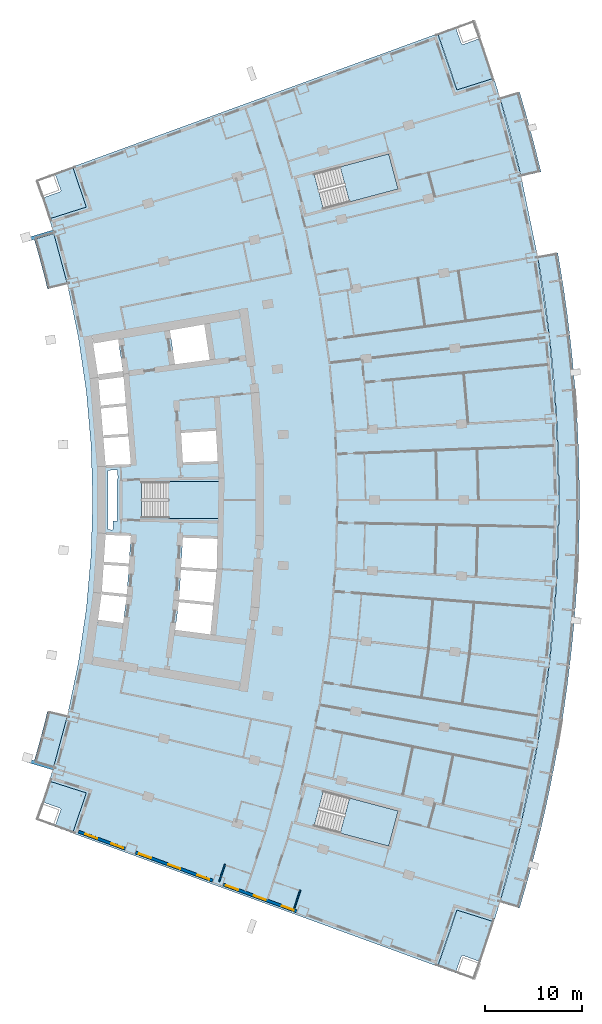
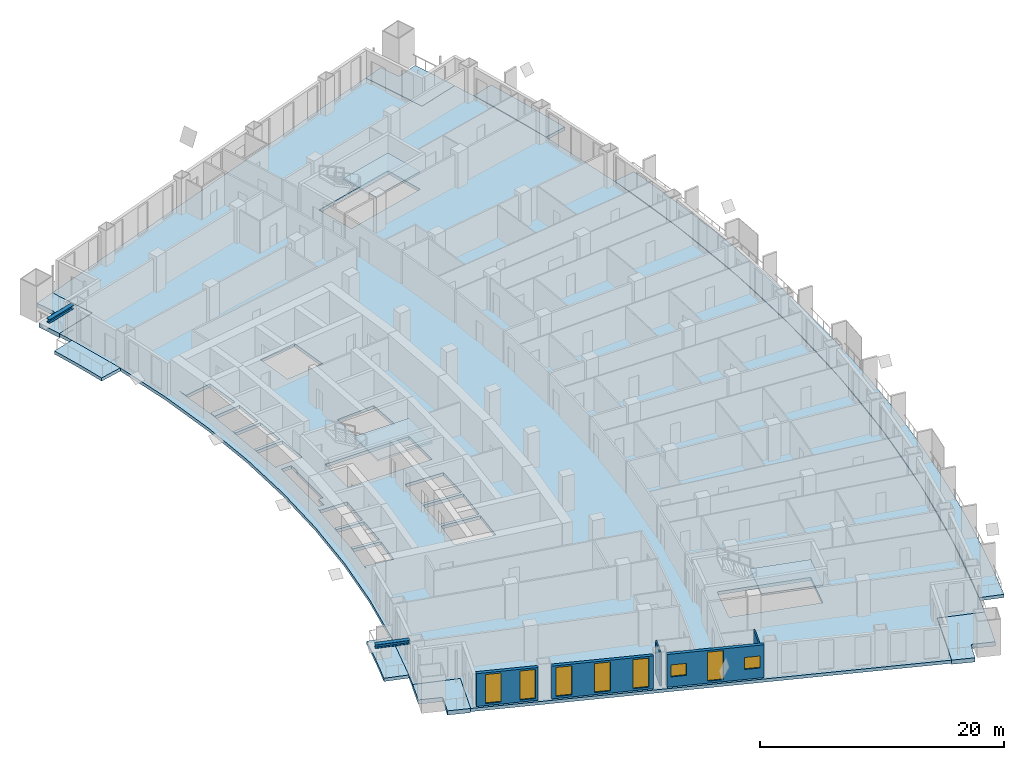
# One storey, part 12 of 24: 12 slabs, 8 windows, 5 walls, 2 members, 8 openings, 3 elements without a shape of their own.
"""IFC4 building model written with IfcOpenShell, lengths in metres."""

from ifc_helpers import new_model, si_unit, direction, frame, frame_2d, origin, origin_2d, place, context, subcontext, project, spatial, polyline, rectangle, i_section, outline, extrude, material, layer, layer_set, material_profile, profile_set, type_object, element, fill, aggregate, save


model = new_model("IFC4")

# Units and contexts
model_context = context("Model", 3, precision=1e-05, world=origin(), true_north=direction((0.0, 1.0)))
body_context = subcontext(model_context, "Body", "Model", "MODEL_VIEW")
ifc_project = project(units=[si_unit("LENGTHUNIT", "METRE"), si_unit("AREAUNIT", "SQUARE_METRE"), si_unit("VOLUMEUNIT", "CUBIC_METRE"), si_unit("PLANEANGLEUNIT", "RADIAN"), si_unit("MASSUNIT", "GRAM", prefix="KILO")], contexts=[model_context])

# Site, building, storey
site_placement = place(None, origin())
site = spatial("IfcSite", under=ifc_project, at=site_placement, CompositionType="ELEMENT")
building_placement = place(site_placement, origin())
building = spatial("IfcBuilding", under=site, at=building_placement, Name="Alderwake Tower", CompositionType="ELEMENT")
storey_placement = place(building_placement, frame((0.0, 0.0, 39.199951171875)))
storey = spatial("IfcBuildingStorey", under=building, at=storey_placement, Name="L08", CompositionType="ELEMENT", Elevation=39.199951171875)

# Members
ifc_material_1 = material(Name="Steel ASTM A992 Grade 50", Category="steel")
ifc_material_profile = material_profile(ifc_material_1, i_section(OverallWidth=0.3740234375, OverallDepth=0.372314453125, WebThickness=0.016357421875, FlangeThickness=0.026123046875, at=origin_2d()), Name="W14X132")
ifc_profile_set = profile_set([ifc_material_profile], Name="Steel ASTM A992 Grade 50")
member_type = type_object("IfcMemberType", Name="Brace node stub W14X132", PredefinedType="MEMBER", material=ifc_profile_set)
for number, where, z_axis, x_axis, name in (
    (1, (11.993408203125, 33.380859375, 3.393798828125), (-0.957763890139, 0.287555787189, 0.0), (-0.287555787189, -0.957763890139, 0.0), "Brace node stub BS.RR02-C0.428"),
    (2, (11.993408203125, 88.619140625, 3.393798828125), (-0.957763890139, -0.287555787189, 0.0), (0.287555787189, -0.957763890139, 0.0), "Brace node stub BS.RR12-C0.428"),
):
    element("IfcMember", number, at=place(storey_placement, frame(where, z_axis=z_axis, x_axis=x_axis)), inside=storey, type_object=member_type, Name=name, PredefinedType="MEMBER", context=body_context, shape_type="SweptSolid", body=[
        extrude(i_section(OverallWidth=0.3740234375, OverallDepth=0.372314453125, WebThickness=0.016357421875, FlangeThickness=0.026123046875, at=origin_2d()), origin(), (0.0, 0.0, 1.0), 2.90869140625),
    ])

# Slabs
ifc_material_2 = material(Name="Concrete C50/60", Category="concrete")
ifc_layer_1 = layer(ifc_material_2, 0.320068359375)
ifc_layer_set_1 = layer_set([ifc_layer_1], Name="Balcony slab 320")
slab_type_1 = type_object("IfcSlabType", Name="Balcony slab 320", PredefinedType="FLOOR", material=ifc_layer_set_1)
slab_1_placement = place(storey_placement, frame((0.0, 0.0, -0.320068359375)))
element("IfcSlab", 3, at=slab_1_placement, inside=storey, type_object=slab_type_1, Name="Balcony BF02", PredefinedType="FLOOR", context=body_context, shape_type="SweptSolid", body=[
    extrude(outline(polyline([(59.9296875, 18.989013671875), (60.52734375, 21.0341796875), (61.09521484375, 23.087646484375), (61.633056640625, 25.1494140625), (62.140869140625, 27.218505859375), (62.618408203125, 29.294921875), (63.0654296875, 31.3779296875), (63.482421875, 33.467529296875), (63.868408203125, 35.562744140625), (64.22412109375, 37.66357421875), (64.54931640625, 39.769287109375), (64.843505859375, 41.87939453125), (65.106689453125, 43.99365234375), (65.33935546875, 46.111572265625), (65.541015625, 48.232666015625), (65.7119140625, 50.356201171875), (65.8515625, 52.482421875), (65.960205078125, 54.610107421875), (66.037841796875, 56.739501953125), (66.08447265625, 58.869384765625), (66.10009765625, 61.0), (66.08447265625, 63.130615234375), (66.037841796875, 65.260498046875), (65.960205078125, 67.389892578125), (65.8515625, 69.517578125), (65.7119140625, 71.643798828125), (65.541015625, 73.767333984375), (65.33935546875, 75.888427734375), (65.106689453125, 78.00634765625), (64.843505859375, 80.12060546875), (64.54931640625, 82.230712890625), (64.22412109375, 84.33642578125), (63.868408203125, 86.437255859375), (61.800537109375, 86.071533203125), (62.151123046875, 84.001220703125), (62.471435546875, 81.925537109375), (62.761474609375, 79.845703125), (63.02099609375, 77.761962890625), (63.250244140625, 75.674560546875), (63.44921875, 73.583984375), (63.617431640625, 71.49072265625), (63.755126953125, 69.395263671875), (63.8623046875, 67.298095703125), (63.938720703125, 65.199462890625), (63.984619140625, 63.099853515625), (64.0, 61.0), (63.984619140625, 58.900146484375), (63.938720703125, 56.800537109375), (63.8623046875, 54.701904296875), (63.755126953125, 52.604736328125), (63.617431640625, 50.50927734375), (63.44921875, 48.416015625), (63.250244140625, 46.325439453125), (63.02099609375, 44.238037109375), (62.761474609375, 42.154296875), (62.471435546875, 40.074462890625), (62.151123046875, 37.998779296875), (61.800537109375, 35.928466796875), (61.419921875, 33.86328125), (61.00927734375, 31.8037109375), (60.568359375, 29.75048828125), (60.097900390625, 27.7041015625), (59.597412109375, 25.66455078125), (59.067138671875, 23.632568359375), (58.507568359375, 21.608642578125), (57.918212890625, 19.593017578125), (59.9296875, 18.989013671875)])), origin(), (0.0, 0.0, 1.0), 0.320068359375),
])
slab_2_placement = place(storey_placement, frame((0.0, 0.0, -0.320068359375)))
element("IfcSlab", 4, at=slab_2_placement, inside=storey, type_object=slab_type_1, Name="Balcony BF11", PredefinedType="FLOOR", context=body_context, shape_type="SweptSolid", body=[
    extrude(outline(polyline([(60.097900390625, 94.2958984375), (62.140869140625, 94.781494140625), (61.633056640625, 96.8505859375), (61.09521484375, 98.912353515625), (60.52734375, 100.9658203125), (59.9296875, 103.010986328125), (57.918212890625, 102.406982421875), (58.507568359375, 100.391357421875), (59.067138671875, 98.367431640625), (59.597412109375, 96.33544921875), (60.097900390625, 94.2958984375)])), origin(), (0.0, 0.0, 1.0), 0.320068359375),
])
slab_3_placement = place(storey_placement, frame((0.0, 0.0, -0.320068359375)))
element("IfcSlab", 5, at=slab_3_placement, inside=storey, type_object=slab_type_1, Name="Balcony BR02", PredefinedType="FLOOR", context=body_context, shape_type="SweptSolid", body=[
    extrude(outline(polyline([(9.93408203125, 33.999267578125), (11.945556640625, 33.395263671875), (13.3984375, 38.802734375), (11.35546875, 39.288330078125), (11.029052734375, 37.95849609375), (10.683349609375, 36.63330078125), (10.318359375, 35.3134765625), (9.93408203125, 33.999267578125)])), origin(), (0.0, 0.0, 1.0), 0.320068359375),
])
slab_4_placement = place(storey_placement, frame((0.0, 0.0, -0.320068359375)))
element("IfcSlab", 6, at=slab_4_placement, inside=storey, type_object=slab_type_1, Name="Balcony BR11", PredefinedType="FLOOR", context=body_context, shape_type="SweptSolid", body=[
    extrude(outline(polyline([(11.35546875, 82.711669921875), (13.3984375, 83.197265625), (11.945556640625, 88.604736328125), (9.93408203125, 88.000732421875), (10.318359375, 86.6865234375), (10.683349609375, 85.36669921875), (11.029052734375, 84.04150390625), (11.35546875, 82.711669921875)])), origin(), (0.0, 0.0, 1.0), 0.320068359375),
])
ifc_material_3 = material(Name="Concrete C50/60", Category="concrete")
ifc_layer_2 = layer(ifc_material_3, 0.320068359375)
ifc_layer_set_2 = layer_set([ifc_layer_2], Name="Concrete C50/60 post-tensioned flat plate 320")
slab_type_2 = type_object("IfcSlabType", Name="Concrete C50/60 post-tensioned flat plate 320", PredefinedType="FLOOR", material=ifc_layer_set_2)
slab_5_placement = place(storey_placement, frame((0.0, 0.0, -0.320068359375)))
element("IfcSlab", 7, at=slab_5_placement, inside=storey, type_object=slab_type_2, Name="Floor slab L08", PredefinedType="FLOOR", context=body_context, shape_type="SweptSolid", body=[
    extrude(outline(polyline([(11.533203125, 32.057373046875), (11.945556640625, 33.395263671875), (13.3984375, 38.802734375), (14.53369140625, 44.28564453125), (15.347412109375, 49.825439453125), (15.836669921875, 55.4033203125), (16.0, 61.0), (15.836669921875, 66.5966796875), (15.347412109375, 72.174560546875), (14.53369140625, 77.71435546875), (13.3984375, 83.197265625), (11.945556640625, 88.604736328125), (11.533203125, 89.942626953125), (15.34716796875, 91.1484375), (13.937255859375, 95.289794921875), (51.51220703125, 109.005615234375), (53.48583984375, 103.2080078125), (57.2998046875, 104.413818359375), (57.918212890625, 102.406982421875), (60.097900390625, 94.2958984375), (61.800537109375, 86.071533203125), (63.02099609375, 77.761962890625), (63.755126953125, 69.395263671875), (64.0, 61.0), (63.755126953125, 52.604736328125), (63.02099609375, 44.238037109375), (61.800537109375, 35.928466796875), (60.097900390625, 27.7041015625), (57.918212890625, 19.593017578125), (57.2998046875, 17.586181640625), (53.48583984375, 18.7919921875), (51.51220703125, 12.994384765625), (13.937255859375, 26.710205078125), (15.34716796875, 30.8515625), (11.533203125, 32.057373046875)]), holes=[polyline([(16.943359375, 51.26953125), (16.9580078125, 51.4189453125), (16.972900390625, 51.568115234375), (19.525146484375, 51.31591796875), (19.71630859375, 54.164794921875), (17.153564453125, 54.33642578125), (17.16357421875, 54.486083984375), (17.173583984375, 54.6357421875), (19.736083984375, 54.464111328125), (19.92724609375, 57.312744140625), (17.364013671875, 57.403564453125), (17.369140625, 57.553466796875), (17.33935546875, 57.554443359375), (17.1337890625, 54.48828125), (16.927978515625, 51.421875), (16.92822265625, 51.421875), (16.50927734375, 48.377197265625), (16.5390625, 48.373291015625), (16.577880859375, 48.6708984375), (19.138671875, 48.3359375), (19.495361328125, 51.017333984375), (16.943359375, 51.26953125)]), polyline([(29.0, 62.875), (21.050048828125, 62.875), (21.050048828125, 59.125), (29.0, 59.125), (29.0, 62.875)]), polyline([(19.688720703125, 67.53271484375), (17.12548828125, 67.361083984375), (17.115478515625, 67.510498046875), (17.10546875, 67.660400390625), (19.6640625, 67.831787109375), (19.42822265625, 70.674560546875), (16.87646484375, 70.42236328125), (16.86181640625, 70.571533203125), (16.846923828125, 70.720947265625), (19.403564453125, 70.973388671875), (19.179931640625, 73.66943359375), (16.646484375, 73.338134765625), (16.607666015625, 73.635498046875), (16.56884765625, 73.93310546875), (19.111083984375, 74.265625), (18.6240234375, 77.531982421875), (18.919921875, 77.575927734375), (18.916748046875, 77.593994140625), (16.082275390625, 77.10546875), (15.9345703125, 77.9619140625), (15.634765625, 77.908935546875), (15.63525390625, 77.9052734375), (15.9140625, 77.9482421875), (16.57763671875, 73.631591796875), (16.578369140625, 73.626220703125), (16.831787109375, 70.568603515625), (17.085693359375, 67.508544921875), (17.33935546875, 64.4482421875), (17.33935546875, 64.445556640625), (17.369384765625, 64.446533203125), (17.364013671875, 64.596435546875), (19.9248046875, 64.687255859375), (19.688720703125, 67.53271484375)]), polyline([(47.436279296875, 28.996826171875), (39.754150390625, 31.043212890625), (38.7890625, 27.41943359375), (46.47119140625, 25.373291015625), (47.436279296875, 28.996826171875)]), polyline([(24.87451171875, 50.48583984375), (24.878662109375, 50.52783203125), (24.875, 50.5283203125), (24.48974609375, 47.635986328125), (28.117919921875, 47.16162109375), (28.40478515625, 50.136962890625), (24.87451171875, 50.48583984375)]), polyline([(25.080810546875, 53.804931640625), (24.89501953125, 50.731201171875), (24.898681640625, 50.730712890625), (24.904052734375, 50.784423828125), (28.43359375, 50.435546875), (28.735107421875, 53.56005859375), (25.080810546875, 53.804931640625)]), polyline([(28.83740234375, 56.997314453125), (25.281494140625, 57.123291015625), (25.09912109375, 54.1044921875), (28.759521484375, 53.859130859375), (28.7578125, 53.8359375), (28.76171875, 53.835693359375), (28.769287109375, 53.915283203125), (28.83740234375, 56.997314453125)]), polyline([(28.873779296875, 65.00390625), (28.689453125, 68.13623046875), (25.101318359375, 67.895751953125), (25.2822265625, 64.876708984375), (28.873779296875, 65.00390625)]), polyline([(27.490966796875, 79.072021484375), (23.932373046875, 78.45849609375), (23.93310546875, 78.454833984375), (23.9443359375, 78.45654296875), (24.4697265625, 74.972412109375), (24.36474609375, 74.95654296875), (24.365478515625, 74.952880859375), (28.0400390625, 75.433349609375), (27.490966796875, 79.072021484375)]), polyline([(46.47119140625, 96.626708984375), (38.7890625, 94.58056640625), (39.754150390625, 90.956787109375), (47.436279296875, 93.003173828125), (46.47119140625, 96.626708984375)]), polyline([(17.58935546875, 64.05419921875), (17.58935546875, 57.94580078125), (18.065673828125, 57.928955078125), (18.090576171875, 58.84326171875), (18.544189453125, 58.8310546875), (18.529296875, 58.8681640625), (18.5234375, 58.89208984375), (18.5185546875, 58.94091796875), (18.5185546875, 63.060302734375), (18.5234375, 63.109130859375), (18.53759765625, 63.156005859375), (18.560791015625, 63.19921875), (18.588623046875, 63.233642578125), (18.565185546875, 64.088623046875), (17.58935546875, 64.05419921875)])]), origin(), (0.0, 0.0, 1.0), 0.320068359375),
])

# Stair, slab
ifc_material_4 = material(Name="Concrete C40/50", Category="concrete")
stair_type = type_object("IfcStairType", Name="Core exit stair", PredefinedType="HALF_TURN_STAIR", material=ifc_material_4)
stair_1_placement = place(storey_placement, origin())
stair_1 = element("IfcStair", 8, at=stair_1_placement, inside=storey, type_object=stair_type, Name="L08 Exit Stair B", PredefinedType="HALF_TURN_STAIR")
ifc_material_5 = material(Name="Concrete C40/50", Category="concrete")
ifc_layer_3 = layer(ifc_material_5, 0.199951171875)
ifc_layer_set_3 = layer_set([ifc_layer_3], Name="Core stair landing 200")
slab_type_3 = type_object("IfcSlabType", Name="Core stair landing 200", PredefinedType="LANDING", material=ifc_layer_set_3)
slab_6_placement = place(storey_placement, frame((0.0, 0.0, 1.60009765625)))
slab_6 = element("IfcSlab", 9, at=slab_6_placement, type_object=slab_type_3, Name="ST-B landing 1", PredefinedType="LANDING", context=body_context, shape_type="SweptSolid", body=[
    extrude(outline(polyline([(23.830078125, 59.074951171875), (29.0, 59.074951171875), (29.0, 62.925048828125), (23.830078125, 62.925048828125), (23.830078125, 59.074951171875)])), origin(), (0.0, 0.0, 1.0), 0.199951171875),
])
aggregate(stair_1, [slab_6])

stair_2_placement = place(storey_placement, origin())
stair_2 = element("IfcStair", 10, at=stair_2_placement, inside=storey, type_object=stair_type, Name="L08 Exit Stair A", PredefinedType="HALF_TURN_STAIR")
slab_7_placement = place(storey_placement, frame((0.0, 0.0, 1.60009765625)))
slab_7 = element("IfcSlab", 11, at=slab_7_placement, type_object=slab_type_3, Name="ST-A landing 1", PredefinedType="LANDING", context=body_context, shape_type="SweptSolid", body=[
    extrude(outline(polyline([(42.440673828125, 91.67236328125), (47.436279296875, 93.003173828125), (46.47119140625, 96.626708984375), (41.475341796875, 95.296142578125), (42.440673828125, 91.67236328125)])), origin(), (0.0, 0.0, 1.0), 0.199951171875),
])
aggregate(stair_2, [slab_7])

stair_3_placement = place(storey_placement, origin())
stair_3 = element("IfcStair", 12, at=stair_3_placement, inside=storey, type_object=stair_type, Name="L08 Exit Stair C", PredefinedType="HALF_TURN_STAIR")
slab_8_placement = place(storey_placement, frame((0.0, 0.0, 1.60009765625)))
slab_8 = element("IfcSlab", 13, at=slab_8_placement, type_object=slab_type_3, Name="ST-C landing 1", PredefinedType="LANDING", context=body_context, shape_type="SweptSolid", body=[
    extrude(outline(polyline([(41.475341796875, 26.703857421875), (46.47119140625, 25.373291015625), (47.436279296875, 28.996826171875), (42.4404296875, 30.32763671875), (41.475341796875, 26.703857421875)])), origin(), (0.0, 0.0, 1.0), 0.199951171875),
])
aggregate(stair_3, [slab_8])

# Slabs
ifc_material_6 = material(Name="Concrete C50/60", Category="concrete")
ifc_layer_4 = layer(ifc_material_6, 0.419921875)
ifc_layer_set_4 = layer_set([ifc_layer_4], Name="Terrace slab 420")
slab_type_4 = type_object("IfcSlabType", Name="Terrace slab 420", PredefinedType="FLOOR", material=ifc_layer_set_4)
slab_9_placement = place(storey_placement, frame((0.0, 0.0, -0.419921875)))
element("IfcSlab", 14, at=slab_9_placement, inside=storey, type_object=slab_type_4, Name="Corner terrace FS", PredefinedType="FLOOR", context=body_context, shape_type="SweptSolid", body=[
    extrude(outline(polyline([(55.975341796875, 13.6005859375), (55.92626953125, 13.462890625), (54.141845703125, 14.1015625), (54.127685546875, 14.10595703125), (54.11328125, 14.108642578125), (54.0986328125, 14.110107421875), (54.083984375, 14.110107421875), (54.0693359375, 14.108642578125), (54.054931640625, 14.10595703125), (54.040771484375, 14.1015625), (54.027099609375, 14.095947265625), (54.01416015625, 14.089111328125), (54.001953125, 14.080810546875), (53.990478515625, 14.071533203125), (53.980224609375, 14.06103515625), (53.970703125, 14.0498046875), (53.962646484375, 14.03759765625), (53.955810546875, 14.0244140625), (53.9501953125, 14.010986328125), (53.346435546875, 12.32470703125), (51.51220703125, 12.994384765625), (52.1982421875, 14.917236328125), (52.856201171875, 16.85009765625), (53.48583984375, 18.7919921875), (57.2998046875, 17.586181640625), (56.652099609375, 15.58837890625), (55.975341796875, 13.6005859375)])), origin(), (0.0, 0.0, 1.0), 0.419921875),
])
slab_10_placement = place(storey_placement, frame((0.0, 0.0, -0.419921875)))
element("IfcSlab", 15, at=slab_10_placement, inside=storey, type_object=slab_type_4, Name="Corner terrace RS", PredefinedType="FLOOR", context=body_context, shape_type="SweptSolid", body=[
    extrude(outline(polyline([(13.937255859375, 26.710205078125), (12.10888671875, 27.377685546875), (12.114013671875, 27.39013671875), (12.71533203125, 29.086669921875), (12.7197265625, 29.100830078125), (12.722412109375, 29.115234375), (12.723876953125, 29.1298828125), (12.723876953125, 29.14453125), (12.722412109375, 29.1591796875), (12.719482421875, 29.173583984375), (12.715087890625, 29.187744140625), (12.70947265625, 29.201416015625), (12.702392578125, 29.21435546875), (12.6943359375, 29.2265625), (12.684814453125, 29.23779296875), (12.674560546875, 29.248291015625), (12.6630859375, 29.257568359375), (12.65087890625, 29.265625), (12.6376953125, 29.272705078125), (12.624267578125, 29.2783203125), (10.82568359375, 29.915771484375), (11.101318359375, 30.7255859375), (11.533203125, 32.057373046875), (15.34716796875, 30.8515625), (13.937255859375, 26.710205078125)])), origin(), (0.0, 0.0, 1.0), 0.419921875),
])
slab_11_placement = place(storey_placement, frame((0.0, 0.0, -0.419921875)))
element("IfcSlab", 16, at=slab_11_placement, inside=storey, type_object=slab_type_4, Name="Corner terrace FN", PredefinedType="FLOOR", context=body_context, shape_type="SweptSolid", body=[
    extrude(outline(polyline([(55.975341796875, 108.3994140625), (56.652099609375, 106.41162109375), (57.2998046875, 104.413818359375), (53.48583984375, 103.2080078125), (52.856201171875, 105.14990234375), (52.1982421875, 107.082763671875), (51.51220703125, 109.005615234375), (53.346435546875, 109.67529296875), (53.9501953125, 107.989013671875), (53.955810546875, 107.9755859375), (53.962646484375, 107.96240234375), (53.970703125, 107.9501953125), (53.980224609375, 107.93896484375), (53.990478515625, 107.928466796875), (54.001953125, 107.919189453125), (54.01416015625, 107.910888671875), (54.027099609375, 107.904052734375), (54.040771484375, 107.8984375), (54.054931640625, 107.89404296875), (54.0693359375, 107.891357421875), (54.083984375, 107.889892578125), (54.0986328125, 107.889892578125), (54.11328125, 107.891357421875), (54.127685546875, 107.89404296875), (54.141845703125, 107.8984375), (55.92626953125, 108.537109375), (55.975341796875, 108.3994140625)])), origin(), (0.0, 0.0, 1.0), 0.419921875),
])
slab_12_placement = place(storey_placement, frame((0.0, 0.0, -0.419921875)))
element("IfcSlab", 17, at=slab_12_placement, inside=storey, type_object=slab_type_4, Name="Corner terrace RN", PredefinedType="FLOOR", context=body_context, shape_type="SweptSolid", body=[
    extrude(outline(polyline([(10.82568359375, 92.084228515625), (12.624267578125, 92.7216796875), (12.6376953125, 92.727294921875), (12.65087890625, 92.734375), (12.6630859375, 92.742431640625), (12.674560546875, 92.751708984375), (12.684814453125, 92.76220703125), (12.6943359375, 92.7734375), (12.702392578125, 92.78564453125), (12.70947265625, 92.798583984375), (12.715087890625, 92.812255859375), (12.719482421875, 92.826416015625), (12.722412109375, 92.8408203125), (12.723876953125, 92.85546875), (12.723876953125, 92.8701171875), (12.722412109375, 92.884765625), (12.7197265625, 92.899169921875), (12.71533203125, 92.913330078125), (12.114013671875, 94.60986328125), (12.10888671875, 94.622314453125), (13.937255859375, 95.289794921875), (15.34716796875, 91.1484375), (11.533203125, 89.942626953125), (11.101318359375, 91.2744140625), (10.82568359375, 92.084228515625)])), origin(), (0.0, 0.0, 1.0), 0.419921875),
])

# Wall, openings, windows
ifc_material_7 = material(Name="Bronze metal cladding on lightweight framing")
ifc_layer_5 = layer(ifc_material_7, 0.300048828125)
ifc_layer_set_5 = layer_set([ifc_layer_5], Name="External wall EW2 bronze metal cladding")
wall_type_1 = type_object("IfcWallType", Name="External wall EW2 bronze metal cladding", PredefinedType="SOLIDWALL", material=ifc_layer_set_5)
wall_1_placement = place(storey_placement, frame((14.523681640625, 26.86865234375, 0.0), z_axis=(0.0, 0.0, 1.0), x_axis=(0.939371865822, -0.342900127883, 0.0)))
wall_1 = element("IfcWall", 18, at=wall_1_placement, inside=storey, type_object=wall_type_1, Name="External wall 4", PredefinedType="SOLIDWALL", context=body_context, shape_type="SweptSolid", body=[
    extrude(rectangle(XDim=5.149169921875, YDim=0.300048828125, at=frame_2d((2.57470703125, 0.0))), origin(), (0.0, 0.0, 1.0), 3.280029296875),
])
opening_1_placement = place(wall_1_placement, frame((0.775390625, 0.0, 0.199951171875)))
opening_1 = element("IfcOpeningElement", 19, at=opening_1_placement, cuts=wall_1, Name="Opening W1", PredefinedType="OPENING", context=body_context, shape_type="SweptSolid", body=[
    extrude(rectangle(XDim=1.300048828125, YDim=2.89990234375, at=frame_2d((0.64990234375, 1.449951171875))), frame((0.0, 0.159912109375, 0.0), z_axis=(0.0, -1.0, 0.0), x_axis=(1.0, 0.0, 0.0)), (0.0, 0.0, 1.0), 0.320068359375),
])
opening_2_placement = place(wall_1_placement, frame((3.626220703125, 0.0, 0.199951171875)))
opening_2 = element("IfcOpeningElement", 20, at=opening_2_placement, cuts=wall_1, Name="Opening W1", PredefinedType="OPENING", context=body_context, shape_type="SweptSolid", body=[
    extrude(rectangle(XDim=1.300048828125, YDim=2.89990234375, at=frame_2d((0.64990234375, 1.449951171875))), frame((0.0, 0.159912109375, 0.0), z_axis=(0.0, -1.0, 0.0), x_axis=(1.0, 0.0, 0.0)), (0.0, 0.0, 1.0), 0.320068359375),
])
ifc_material_8 = material(Name="Bronze tinted glass in aluminium frame", Category="aluminium")
window_type_1 = type_object("IfcWindowType", Name="Window W1 tall fixed and vent", PartitioningType="DOUBLE_PANEL_VERTICAL", PredefinedType="WINDOW", material=ifc_material_8)
window_1_placement = place(opening_1_placement, origin())
window_1 = element("IfcWindow", 21, at=window_1_placement, inside=storey, type_object=window_type_1, Name="Window W1 tall fixed and vent", OverallHeight=2.89990234375, OverallWidth=1.300048828125, PartitioningType="DOUBLE_PANEL_VERTICAL", PredefinedType="WINDOW", context=body_context, shape_type="SweptSolid", body=[
    extrude(rectangle(XDim=1.300048828125, YDim=2.89990234375, at=frame_2d((0.64990234375, 1.449951171875))), frame((0.0, 0.030029296875, 0.0), z_axis=(0.0, -1.0, 0.0), x_axis=(1.0, 0.0, 0.0)), (0.0, 0.0, 1.0), 0.06005859375),
])
fill(opening_1, window_1)
window_2_placement = place(opening_2_placement, origin())
window_2 = element("IfcWindow", 22, at=window_2_placement, inside=storey, type_object=window_type_1, Name="Window W1 tall fixed and vent", OverallHeight=2.89990234375, OverallWidth=1.300048828125, PartitioningType="DOUBLE_PANEL_VERTICAL", PredefinedType="WINDOW", context=body_context, shape_type="SweptSolid", body=[
    extrude(rectangle(XDim=1.300048828125, YDim=2.89990234375, at=frame_2d((0.64990234375, 1.449951171875))), frame((0.0, 0.030029296875, 0.0), z_axis=(0.0, -1.0, 0.0), x_axis=(1.0, 0.0, 0.0)), (0.0, 0.0, 1.0), 0.06005859375),
])
fill(opening_2, window_2)

wall_2_placement = place(storey_placement, frame((20.398681640625, 24.72412109375, 0.0), z_axis=(0.0, 0.0, 1.0), x_axis=(0.939369809957, -0.342905759856, 0.0)))
wall_2 = element("IfcWall", 23, at=wall_2_placement, inside=storey, type_object=wall_type_1, Name="External wall 5", PredefinedType="SOLIDWALL", context=body_context, shape_type="SweptSolid", body=[
    extrude(rectangle(XDim=8.495361328125, YDim=0.300048828125, at=frame_2d((4.24755859375, 0.0))), origin(), (0.0, 0.0, 1.0), 3.280029296875),
])
opening_3_placement = place(wall_2_placement, frame((0.3974609375, 0.0, 0.199951171875)))
opening_3 = element("IfcOpeningElement", 24, at=opening_3_placement, cuts=wall_2, Name="Opening W1", PredefinedType="OPENING", context=body_context, shape_type="SweptSolid", body=[
    extrude(rectangle(XDim=1.300048828125, YDim=2.89990234375, at=frame_2d((0.64990234375, 1.449951171875))), frame((0.0, 0.159912109375, 0.0), z_axis=(0.0, -1.0, 0.0), x_axis=(1.0, 0.0, 0.0)), (0.0, 0.0, 1.0), 0.320068359375),
])
opening_4_placement = place(wall_2_placement, frame((3.597412109375, 0.0, 0.199951171875)))
opening_4 = element("IfcOpeningElement", 25, at=opening_4_placement, cuts=wall_2, Name="Opening W1", PredefinedType="OPENING", context=body_context, shape_type="SweptSolid", body=[
    extrude(rectangle(XDim=1.300048828125, YDim=2.89990234375, at=frame_2d((0.64990234375, 1.449951171875))), frame((0.0, 0.159912109375, 0.0), z_axis=(0.0, -1.0, 0.0), x_axis=(1.0, 0.0, 0.0)), (0.0, 0.0, 1.0), 0.320068359375),
])
opening_5_placement = place(wall_2_placement, frame((6.797607421875, 0.0, 0.199951171875)))
opening_5 = element("IfcOpeningElement", 26, at=opening_5_placement, cuts=wall_2, Name="Opening W1", PredefinedType="OPENING", context=body_context, shape_type="SweptSolid", body=[
    extrude(rectangle(XDim=1.300048828125, YDim=2.89990234375, at=frame_2d((0.64990234375, 1.449951171875))), frame((0.0, 0.159912109375, 0.0), z_axis=(0.0, -1.0, 0.0), x_axis=(1.0, 0.0, 0.0)), (0.0, 0.0, 1.0), 0.320068359375),
])
window_3_placement = place(opening_3_placement, origin())
window_3 = element("IfcWindow", 27, at=window_3_placement, inside=storey, type_object=window_type_1, Name="Window W1 tall fixed and vent", OverallHeight=2.89990234375, OverallWidth=1.300048828125, PartitioningType="DOUBLE_PANEL_VERTICAL", PredefinedType="WINDOW", context=body_context, shape_type="SweptSolid", body=[
    extrude(rectangle(XDim=1.300048828125, YDim=2.89990234375, at=frame_2d((0.64990234375, 1.449951171875))), frame((0.0, 0.030029296875, 0.0), z_axis=(0.0, -1.0, 0.0), x_axis=(1.0, 0.0, 0.0)), (0.0, 0.0, 1.0), 0.06005859375),
])
fill(opening_3, window_3)
window_4_placement = place(opening_4_placement, origin())
window_4 = element("IfcWindow", 28, at=window_4_placement, inside=storey, type_object=window_type_1, Name="Window W1 tall fixed and vent", OverallHeight=2.89990234375, OverallWidth=1.300048828125, PartitioningType="DOUBLE_PANEL_VERTICAL", PredefinedType="WINDOW", context=body_context, shape_type="SweptSolid", body=[
    extrude(rectangle(XDim=1.300048828125, YDim=2.89990234375, at=frame_2d((0.64990234375, 1.449951171875))), frame((0.0, 0.030029296875, 0.0), z_axis=(0.0, -1.0, 0.0), x_axis=(1.0, 0.0, 0.0)), (0.0, 0.0, 1.0), 0.06005859375),
])
fill(opening_4, window_4)
window_5_placement = place(opening_5_placement, origin())
window_5 = element("IfcWindow", 29, at=window_5_placement, inside=storey, type_object=window_type_1, Name="Window W1 tall fixed and vent", OverallHeight=2.89990234375, OverallWidth=1.300048828125, PartitioningType="DOUBLE_PANEL_VERTICAL", PredefinedType="WINDOW", context=body_context, shape_type="SweptSolid", body=[
    extrude(rectangle(XDim=1.300048828125, YDim=2.89990234375, at=frame_2d((0.64990234375, 1.449951171875))), frame((0.0, 0.030029296875, 0.0), z_axis=(0.0, -1.0, 0.0), x_axis=(1.0, 0.0, 0.0)), (0.0, 0.0, 1.0), 0.06005859375),
])
fill(opening_5, window_5)

wall_3_placement = place(storey_placement, frame((29.416748046875, 21.432373046875, 0.0), z_axis=(0.0, 0.0, 1.0), x_axis=(0.939375360712, -0.34289055351, 0.0)))
wall_3 = element("IfcWall", 30, at=wall_3_placement, inside=storey, type_object=wall_type_1, Name="External wall 6", PredefinedType="SOLIDWALL", context=body_context, shape_type="SweptSolid", body=[
    extrude(rectangle(XDim=8.095458984375, YDim=0.300048828125, at=frame_2d((4.0478515625, 0.0))), origin(), (0.0, 0.0, 1.0), 3.280029296875),
])
opening_6_placement = place(wall_3_placement, frame((0.3310546875, 0.0, 1.0)))
opening_6 = element("IfcOpeningElement", 31, at=opening_6_placement, cuts=wall_3, Name="Opening W2", PredefinedType="OPENING", context=body_context, shape_type="SweptSolid", body=[
    extrude(rectangle(XDim=1.300048828125, YDim=1.199951171875, at=frame_2d((0.64990234375, 0.60009765625))), frame((0.0, 0.159912109375, 0.0), z_axis=(0.0, -1.0, 0.0), x_axis=(1.0, 0.0, 0.0)), (0.0, 0.0, 1.0), 0.320068359375),
])
opening_7_placement = place(wall_3_placement, frame((3.397705078125, 0.0, 0.199951171875)))
opening_7 = element("IfcOpeningElement", 32, at=opening_7_placement, cuts=wall_3, Name="Opening W1", PredefinedType="OPENING", context=body_context, shape_type="SweptSolid", body=[
    extrude(rectangle(XDim=1.300048828125, YDim=2.89990234375, at=frame_2d((0.64990234375, 1.449951171875))), frame((0.0, 0.159912109375, 0.0), z_axis=(0.0, -1.0, 0.0), x_axis=(1.0, 0.0, 0.0)), (0.0, 0.0, 1.0), 0.320068359375),
])
opening_8_placement = place(wall_3_placement, frame((6.464599609375, 0.0, 1.0)))
opening_8 = element("IfcOpeningElement", 33, at=opening_8_placement, cuts=wall_3, Name="Opening W2", PredefinedType="OPENING", context=body_context, shape_type="SweptSolid", body=[
    extrude(rectangle(XDim=1.300048828125, YDim=1.199951171875, at=frame_2d((0.64990234375, 0.60009765625))), frame((0.0, 0.159912109375, 0.0), z_axis=(0.0, -1.0, 0.0), x_axis=(1.0, 0.0, 0.0)), (0.0, 0.0, 1.0), 0.320068359375),
])
window_6_placement = place(opening_7_placement, origin())
window_6 = element("IfcWindow", 34, at=window_6_placement, inside=storey, type_object=window_type_1, Name="Window W1 tall fixed and vent", OverallHeight=2.89990234375, OverallWidth=1.300048828125, PartitioningType="DOUBLE_PANEL_VERTICAL", PredefinedType="WINDOW", context=body_context, shape_type="SweptSolid", body=[
    extrude(rectangle(XDim=1.300048828125, YDim=2.89990234375, at=frame_2d((0.64990234375, 1.449951171875))), frame((0.0, 0.030029296875, 0.0), z_axis=(0.0, -1.0, 0.0), x_axis=(1.0, 0.0, 0.0)), (0.0, 0.0, 1.0), 0.06005859375),
])
fill(opening_7, window_6)
ifc_material_9 = material(Name="Bronze tinted glass in aluminium frame", Category="aluminium")
window_type_2 = type_object("IfcWindowType", Name="Window W2 kitchen and bath", PartitioningType="SINGLE_PANEL", PredefinedType="WINDOW", material=ifc_material_9)
window_7_placement = place(opening_6_placement, origin())
window_7 = element("IfcWindow", 35, at=window_7_placement, inside=storey, type_object=window_type_2, Name="Window W2 kitchen and bath", OverallHeight=1.199951171875, OverallWidth=1.300048828125, PartitioningType="SINGLE_PANEL", PredefinedType="WINDOW", context=body_context, shape_type="SweptSolid", body=[
    extrude(rectangle(XDim=1.300048828125, YDim=1.199951171875, at=frame_2d((0.64990234375, 0.60009765625))), frame((0.0, 0.030029296875, 0.0), z_axis=(0.0, -1.0, 0.0), x_axis=(1.0, 0.0, 0.0)), (0.0, 0.0, 1.0), 0.06005859375),
])
fill(opening_6, window_7)
window_8_placement = place(opening_8_placement, origin())
window_8 = element("IfcWindow", 36, at=window_8_placement, inside=storey, type_object=window_type_2, Name="Window W2 kitchen and bath", OverallHeight=1.199951171875, OverallWidth=1.300048828125, PartitioningType="SINGLE_PANEL", PredefinedType="WINDOW", context=body_context, shape_type="SweptSolid", body=[
    extrude(rectangle(XDim=1.300048828125, YDim=1.199951171875, at=frame_2d((0.64990234375, 0.60009765625))), frame((0.0, 0.030029296875, 0.0), z_axis=(0.0, -1.0, 0.0), x_axis=(1.0, 0.0, 0.0)), (0.0, 0.0, 1.0), 0.06005859375),
])
fill(opening_8, window_8)

# Walls
ifc_material_10 = material(Name="Moisture resistant gypsum board on metal studs")
ifc_layer_6 = layer(ifc_material_10, 0.1201171875)
ifc_layer_set_6 = layer_set([ifc_layer_6], Name="Wet room partition 120")
wall_type_2 = type_object("IfcWallType", Name="Wet room partition 120", PredefinedType="PARTITIONING", material=ifc_layer_set_6)
wall_4_placement = place(storey_placement, frame((29.616943359375, 23.495849609375, 0.0), z_axis=(0.0, 0.0, 1.0), x_axis=(-0.315242462823, -0.949011164125, 0.0)))
element("IfcWall", 37, at=wall_4_placement, inside=storey, type_object=wall_type_2, Name="WL/L08/W45", PredefinedType="PARTITIONING", context=body_context, shape_type="SweptSolid", body=[
    extrude(rectangle(XDim=1.858642578125, YDim=0.1201171875, at=frame_2d((0.92919921875, 0.0))), origin(), (0.0, 0.0, 1.0), 3.280029296875),
])
wall_5_placement = place(storey_placement, frame((36.735107421875, 18.9208984375, 0.0), z_axis=(0.0, 0.0, 1.0), x_axis=(0.315212330495, 0.949021172948, 0.0)))
element("IfcWall", 38, at=wall_5_placement, inside=storey, type_object=wall_type_2, Name="WL/L08/W53", PredefinedType="PARTITIONING", context=body_context, shape_type="SweptSolid", body=[
    extrude(rectangle(XDim=2.02001953125, YDim=0.1201171875, at=frame_2d((1.010009765625, 0.0))), origin(), (0.0, 0.0, 1.0), 3.280029296875),
])

save(model, "model.ifc")
